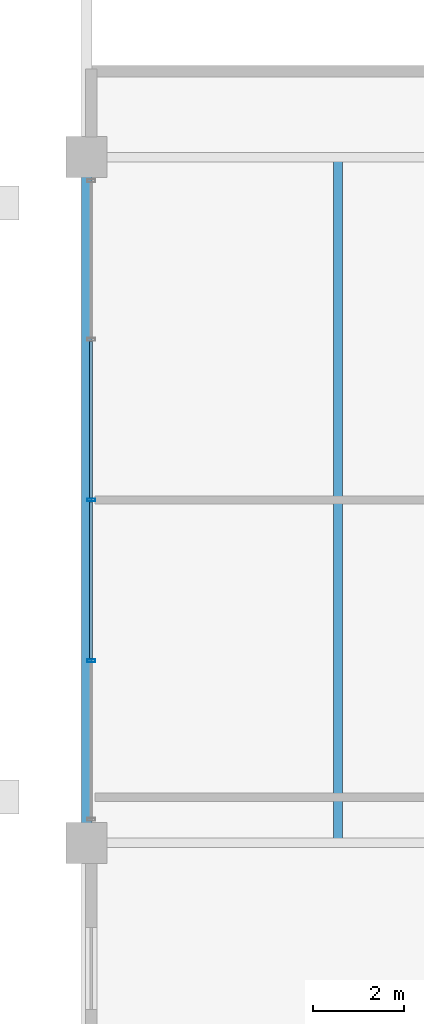
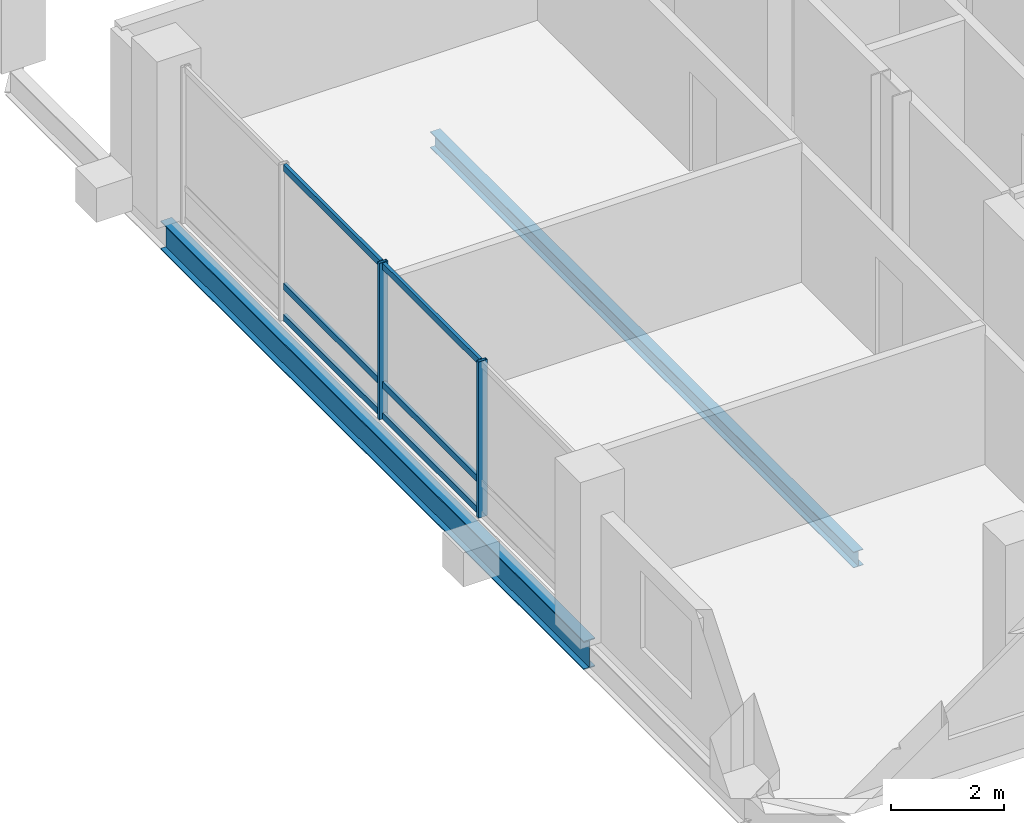
# One storey, part 6 of 16: 8 members, 2 beams, 1 element without a shape of its own.
"""IFC4 building model written with IfcOpenShell, lengths in metres."""

from ifc_helpers import new_model, si_unit, direction, frame, origin, origin_2d, place, context, subcontext, project, spatial, hollow_rectangle, i_section, extrude, material, layer, layer_set, material_profile, profile_set, type_object, element, aggregate, save


model = new_model("IFC4")

# Units and contexts
model_context = context("Model", 3, precision=1e-05, world=origin(), true_north=direction((0.0, 1.0)))
body_context = subcontext(model_context, "Body", "Model", "MODEL_VIEW")
ifc_project = project(units=[si_unit("LENGTHUNIT", "METRE"), si_unit("AREAUNIT", "SQUARE_METRE"), si_unit("VOLUMEUNIT", "CUBIC_METRE"), si_unit("PLANEANGLEUNIT", "RADIAN"), si_unit("MASSUNIT", "GRAM", prefix="KILO")], contexts=[model_context])

# Site, building, storey
site_placement = place(None, origin())
site = spatial("IfcSite", under=ifc_project, at=site_placement, CompositionType="ELEMENT")
building_placement = place(site_placement, origin())
building = spatial("IfcBuilding", under=site, at=building_placement, Name="Barlavira Tower and Art Museum", CompositionType="ELEMENT")
storey_placement = place(building_placement, frame((0.0, 0.0, 265.5)))
storey = spatial("IfcBuildingStorey", under=building, at=storey_placement, Name="L69", CompositionType="ELEMENT", Elevation=265.5)

# Curtain wall, members
ifc_material_1 = material(Name="Low-iron coastal laminated glass", Category="glass")
ifc_layer = layer(ifc_material_1, 0.2099609375, Name="Low-iron coastal laminated glass")
ifc_layer_set = layer_set([ifc_layer], Name="Low-iron coastal laminated glass")
curtain_wall_type = type_object("IfcCurtainWallType", Name="Pale-Metal Unitised Curtain Wall Zone 4", PredefinedType="NOTDEFINED", material=ifc_layer_set)
curtain_wall_placement = place(storey_placement, origin())
curtain_wall = element("IfcCurtainWall", 1, at=curtain_wall_placement, inside=storey, type_object=curtain_wall_type, Name="L69 Curtain Wall CW4-L69-W-B2", PredefinedType="NOTDEFINED")
ifc_material_2 = material(Name="Pale anodised aluminium", Category="aluminium")
ifc_material_profile_1 = material_profile(ifc_material_2, hollow_rectangle(XDim=0.06494140625, YDim=0.179931640625, WallThickness=0.00390625, at=origin_2d()), Name="ALU-MULL 65x180x4")
ifc_profile_set_1 = profile_set([ifc_material_profile_1], Name="Pale anodised aluminium")
member_type_1 = type_object("IfcMemberType", Name="Curtain Wall Pale-Metal Mullion 65x180", PredefinedType="MULLION", material=ifc_profile_set_1)
member_1_placement = place(storey_placement, frame((-16.89990234375, 0.0, 0.0), z_axis=(0.0, 0.0, 1.0), x_axis=(0.0, -1.0, 0.0)))
member_1 = element("IfcMember", 2, at=member_1_placement, type_object=member_type_1, Name="CW4-L69-W-B2 Mullion 2", PredefinedType="MULLION", context=body_context, shape_type="SweptSolid", body=[
    extrude(hollow_rectangle(XDim=0.06494140625, YDim=0.179931640625, WallThickness=0.00390625, at=origin_2d()), origin(), (0.0, 0.0, 1.0), 3.3798828125),
])
member_2_placement = place(storey_placement, frame((-16.89990234375, -3.514892578125, 0.0), z_axis=(0.0, 0.0, 1.0), x_axis=(0.0, -1.0, 0.0)))
member_2 = element("IfcMember", 3, at=member_2_placement, type_object=member_type_1, Name="CW4-L69-W-B2 Mullion 3", PredefinedType="MULLION", context=body_context, shape_type="SweptSolid", body=[
    extrude(hollow_rectangle(XDim=0.06494140625, YDim=0.179931640625, WallThickness=0.00390625, at=origin_2d()), origin(), (0.0, 0.0, 1.0), 3.3798828125),
])
ifc_material_profile_2 = material_profile(ifc_material_2, hollow_rectangle(XDim=0.06494140625, YDim=0.139892578125, WallThickness=0.00390625, at=origin_2d()), Name="ALU-TRAN 65x140x4")
ifc_profile_set_2 = profile_set([ifc_material_profile_2], Name="Pale anodised aluminium")
member_type_2 = type_object("IfcMemberType", Name="Curtain Wall Pale-Metal Transom 65x140", PredefinedType="USERDEFINED", material=ifc_profile_set_2)
member_3_placement = place(storey_placement, frame((-16.89990234375, 3.469970703125, 0.070068359375), z_axis=(0.0, -1.0, 0.0), x_axis=(1.0, 0.0, 0.0)))
member_3 = element("IfcMember", 4, at=member_3_placement, type_object=member_type_2, Name="CW4-L69-W-B2 Transom 1.1", ObjectType="TRANSOM", PredefinedType="USERDEFINED", context=body_context, shape_type="SweptSolid", body=[
    extrude(hollow_rectangle(XDim=0.06494140625, YDim=0.139892578125, WallThickness=0.00390625, at=origin_2d()), origin(), (0.0, 0.0, 1.0), 3.425048828125),
])
member_4_placement = place(storey_placement, frame((-16.89990234375, 3.469970703125, 0.743896484375), z_axis=(0.0, -1.0, 0.0), x_axis=(1.0, 0.0, 0.0)))
member_4 = element("IfcMember", 5, at=member_4_placement, type_object=member_type_2, Name="CW4-L69-W-B2 Transom 1.2", ObjectType="TRANSOM", PredefinedType="USERDEFINED", context=body_context, shape_type="SweptSolid", body=[
    extrude(hollow_rectangle(XDim=0.06494140625, YDim=0.139892578125, WallThickness=0.00390625, at=origin_2d()), origin(), (0.0, 0.0, 1.0), 3.425048828125),
])
member_5_placement = place(storey_placement, frame((-16.89990234375, 3.469970703125, 3.31005859375), z_axis=(0.0, -1.0, 0.0), x_axis=(1.0, 0.0, 0.0)))
member_5 = element("IfcMember", 6, at=member_5_placement, type_object=member_type_2, Name="CW4-L69-W-B2 Transom 1.3", ObjectType="TRANSOM", PredefinedType="USERDEFINED", context=body_context, shape_type="SweptSolid", body=[
    extrude(hollow_rectangle(XDim=0.06494140625, YDim=0.139892578125, WallThickness=0.00390625, at=origin_2d()), origin(), (0.0, 0.0, 1.0), 3.425048828125),
])
member_6_placement = place(storey_placement, frame((-16.89990234375, -0.044921875, 0.070068359375), z_axis=(0.0, -1.0, 0.0), x_axis=(1.0, 0.0, 0.0)))
member_6 = element("IfcMember", 7, at=member_6_placement, type_object=member_type_2, Name="CW4-L69-W-B2 Transom 2.1", ObjectType="TRANSOM", PredefinedType="USERDEFINED", context=body_context, shape_type="SweptSolid", body=[
    extrude(hollow_rectangle(XDim=0.06494140625, YDim=0.139892578125, WallThickness=0.00390625, at=origin_2d()), origin(), (0.0, 0.0, 1.0), 3.425048828125),
])
member_7_placement = place(storey_placement, frame((-16.89990234375, -0.044921875, 0.743896484375), z_axis=(0.0, -1.0, 0.0), x_axis=(1.0, 0.0, 0.0)))
member_7 = element("IfcMember", 8, at=member_7_placement, type_object=member_type_2, Name="CW4-L69-W-B2 Transom 2.2", ObjectType="TRANSOM", PredefinedType="USERDEFINED", context=body_context, shape_type="SweptSolid", body=[
    extrude(hollow_rectangle(XDim=0.06494140625, YDim=0.139892578125, WallThickness=0.00390625, at=origin_2d()), origin(), (0.0, 0.0, 1.0), 3.425048828125),
])
member_8_placement = place(storey_placement, frame((-16.89990234375, -0.044921875, 3.31005859375), z_axis=(0.0, -1.0, 0.0), x_axis=(1.0, 0.0, 0.0)))
member_8 = element("IfcMember", 9, at=member_8_placement, type_object=member_type_2, Name="CW4-L69-W-B2 Transom 2.3", ObjectType="TRANSOM", PredefinedType="USERDEFINED", context=body_context, shape_type="SweptSolid", body=[
    extrude(hollow_rectangle(XDim=0.06494140625, YDim=0.139892578125, WallThickness=0.00390625, at=origin_2d()), origin(), (0.0, 0.0, 1.0), 3.425048828125),
])
aggregate(curtain_wall, [member_1, member_2, member_3, member_4, member_5, member_6, member_7, member_8])

# Beams
ifc_material_3 = material(Name="Steel S355", Category="steel")
ifc_material_profile_3 = material_profile(ifc_material_3, i_section(OverallWidth=0.22998046875, OverallDepth=0.616943359375, WebThickness=0.01318359375, FlangeThickness=0.022216796875, at=origin_2d()), Name="W610x140.0")
ifc_profile_set_3 = profile_set([ifc_material_profile_3], Name="Steel S355")
beam_type_1 = type_object("IfcBeamType", Name="Upper Shaft Spandrel Edge Beam W610x140 Steel S355", PredefinedType="SPANDREL", material=ifc_profile_set_3)
beam_1_placement = place(storey_placement, frame((-17.0, -7.5, -0.528564453125), z_axis=(0.0, 1.0, 0.0), x_axis=(-1.0, 0.0, 0.0)))
element("IfcBeam", 10, at=beam_1_placement, inside=storey, type_object=beam_type_1, Name="L69 Spandrel 14", PredefinedType="SPANDREL", context=body_context, shape_type="SweptSolid", body=[
    extrude(i_section(OverallWidth=0.22998046875, OverallDepth=0.616943359375, WebThickness=0.01318359375, FlangeThickness=0.022216796875, at=origin_2d()), origin(), (0.0, 0.0, 1.0), 15.0),
])
ifc_material_profile_4 = material_profile(ifc_material_3, i_section(OverallWidth=0.202880859375, OverallDepth=0.346923828125, WebThickness=0.0078125, FlangeThickness=0.013427734375, at=origin_2d()), Name="W360x64.0")
ifc_profile_set_4 = profile_set([ifc_material_profile_4], Name="Steel S355")
beam_type_2 = type_object("IfcBeamType", Name="Zone 4 Composite Floor Joist W360x64 Steel S355", PredefinedType="JOIST", material=ifc_profile_set_4)
beam_2_placement = place(storey_placement, frame((-11.5, -7.5, -0.3935546875), z_axis=(0.0, 1.0, 0.0), x_axis=(-1.0, 0.0, 0.0)))
element("IfcBeam", 11, at=beam_2_placement, inside=storey, type_object=beam_type_2, Name="L69 Joist W1", PredefinedType="JOIST", context=body_context, shape_type="SweptSolid", body=[
    extrude(i_section(OverallWidth=0.202880859375, OverallDepth=0.346923828125, WebThickness=0.0078125, FlangeThickness=0.013427734375, at=origin_2d()), origin(), (0.0, 0.0, 1.0), 15.0),
])

save(model, "model.ifc")
